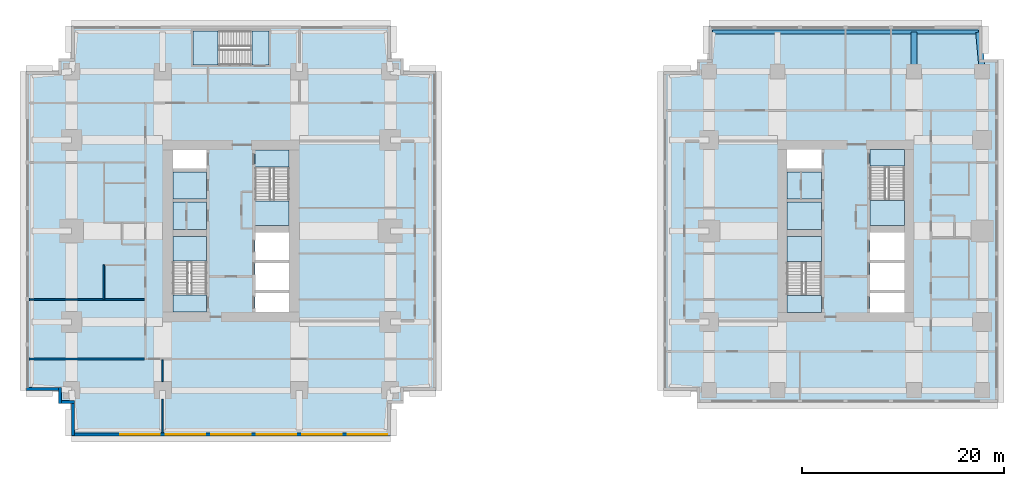
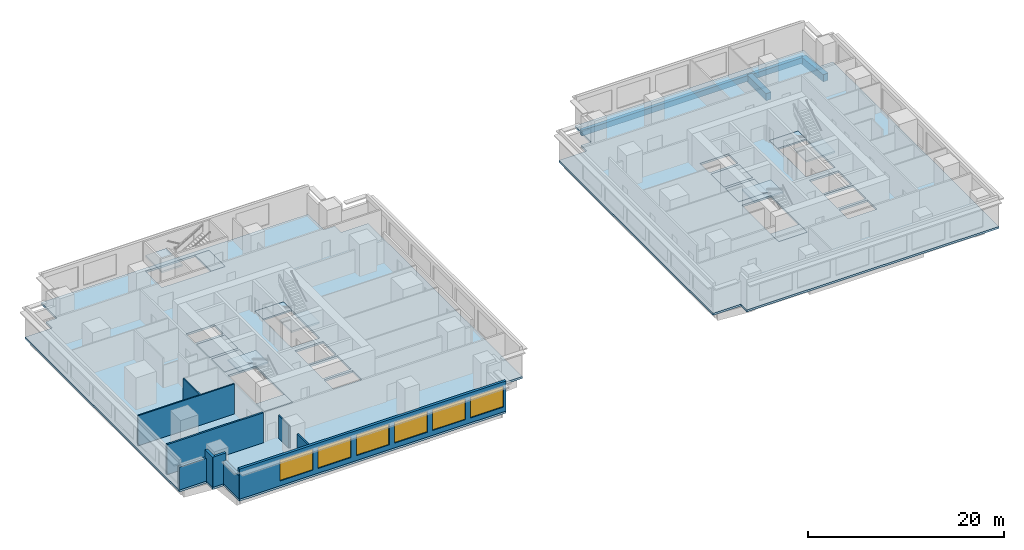
# One storey, part 2 of 10: 16 slabs, 10 walls, 6 windows, 3 beams, 6 openings, 5 elements without a shape of their own.
"""IFC4 building model written with IfcOpenShell, lengths in metres."""

import ifcopenshell
import ifcopenshell.guid

model = None  # the IFC model being written
_history = None  # IfcOwnerHistory: only IFC2X3 demands one
_inside = {}  # id of a spatial element -> (the spatial element, [elements in it])
_under = {}  # id of a project, library or spatial element -> (it, [spatial elements below it])
_declared = {}  # id of a project -> (the project, [libraries it declares])
_typed = {}  # id of a type object -> (the type object, [elements of that type])
_made_of = {}  # id of a material, layer set ... -> (it, [elements and type objects made of it])


def new_model(schema):
    """Start an empty IFC model of exactly this schema.

    Asked for "IFC4X3", IfcOpenShell would pick the latest addendum, in which some entities
    have other attributes; the version numbers below select the first issue.
    IFC2X3 requires an IfcOwnerHistory on every rooted entity: one is made here for all.
    """
    global model, _history
    if schema == "IFC4X3":
        model = ifcopenshell.file(schema_version=(4, 3, 0, 0))
    else:
        model = ifcopenshell.file(schema=schema)
    _inside.clear()
    _under.clear()
    _declared.clear()
    _typed.clear()
    _made_of.clear()
    _history = None
    if model.schema == "IFC2X3":
        org = make("IfcOrganization", Name="unknown")
        user = make(
            "IfcPersonAndOrganization",
            ThePerson=make("IfcPerson", FamilyName="unknown"),
            TheOrganization=org,
        )
        app = make(
            "IfcApplication",
            ApplicationDeveloper=org,
            Version="unknown",
            ApplicationFullName="unknown",
            ApplicationIdentifier="unknown",
        )
        _history = make(
            "IfcOwnerHistory",
            OwningUser=user,
            OwningApplication=app,
            ChangeAction="ADDED",
            CreationDate=0,
        )
    return model


def make(cls, **values):
    """One entity of the class cls with the attributes given. An attribute that is None is left unset."""
    return model.create_entity(
        cls, **{name: value for name, value in values.items() if value is not None}
    )


def rooted(cls, **values):
    """An entity with a GlobalId (a new one), such as an element, a storey or a relation."""
    return make(cls, GlobalId=ifcopenshell.guid.new(), OwnerHistory=_history, **values)


def si_unit(unit_type, name, prefix=None):
    """IfcSIUnit, for example si_unit("LENGTHUNIT", "METRE", prefix="MILLI")."""
    return make("IfcSIUnit", UnitType=unit_type, Prefix=prefix, Name=name)


def assignment(units):
    """IfcUnitAssignment: the units of a project."""
    return None if units is None else make("IfcUnitAssignment", Units=units)


def point(xyz):
    """IfcCartesianPoint."""
    return None if xyz is None else make("IfcCartesianPoint", Coordinates=xyz)


def direction(xyz):
    """IfcDirection."""
    return None if xyz is None else make("IfcDirection", DirectionRatios=xyz)


def frame(location, z_axis=None, x_axis=None):
    """IfcAxis2Placement3D, a coordinate frame: its origin and axes. An axis left out is left unset."""
    return make(
        "IfcAxis2Placement3D",
        Location=point(location),
        Axis=direction(z_axis),
        RefDirection=direction(x_axis),
    )


def frame_2d(location, x_axis=None):
    """IfcAxis2Placement2D, a coordinate frame in the plane: its origin and x axis."""
    return make(
        "IfcAxis2Placement2D", Location=point(location), RefDirection=direction(x_axis)
    )


def origin():
    """The frame at (0, 0, 0) with its axes left unset."""
    return frame((0.0, 0.0, 0.0))


def origin_2d():
    """The frame at (0, 0) in the plane with its x axis left unset."""
    return frame_2d((0.0, 0.0))


def place(relative_to, where):
    """IfcLocalPlacement: puts the frame where relative to a parent placement (None: the world)."""
    return make(
        "IfcLocalPlacement", PlacementRelTo=relative_to, RelativePlacement=where
    )


def context(
    kind, dimensions, precision=None, world=None, true_north=None, identifier=None
):
    """IfcGeometricRepresentationContext, for example the 3D "Model" context."""
    return make(
        "IfcGeometricRepresentationContext",
        ContextIdentifier=identifier,
        ContextType=kind,
        CoordinateSpaceDimension=dimensions,
        Precision=precision,
        WorldCoordinateSystem=world,
        TrueNorth=true_north,
    )


def subcontext(parent, identifier, kind, view, scale=None):
    """IfcGeometricRepresentationSubContext, for example "Body" below "Model"."""
    return make(
        "IfcGeometricRepresentationSubContext",
        ContextIdentifier=identifier,
        ContextType=kind,
        ParentContext=parent,
        TargetScale=scale,
        TargetView=view,
    )


def project(units=None, contexts=None):
    """IfcProject with its units and contexts."""
    return rooted(
        "IfcProject",
        Name="project",
        RepresentationContexts=contexts,
        UnitsInContext=assignment(units),
    )


def spatial(cls, under=None, at=None, **own):
    """A site, building, storey or space (cls), placed at a placement, below another one or the project."""
    s = rooted(cls, ObjectPlacement=at, **own)
    if under is not None:
        _under.setdefault(under.id(), (under, []))[1].append(s)
    return s


def polyline(points):
    """IfcPolyline through the points."""
    return make("IfcPolyline", Points=[point(p) for p in points])


def profile(cls, at=None, kind="AREA", **sizes):
    """A parametric profile (cls). Its sizes go by their IFC names, for example OverallWidth=200.0."""
    return make(cls, ProfileType=kind, Position=at, **sizes)


def rectangle(**sizes):
    """IfcRectangleProfileDef."""
    return profile("IfcRectangleProfileDef", **sizes)


def outline(outer, holes=None, kind="AREA"):
    """IfcArbitraryClosedProfileDef: a profile drawn as a closed curve; with holes, ...WithVoids."""
    if holes is None:
        return make("IfcArbitraryClosedProfileDef", ProfileType=kind, OuterCurve=outer)
    return make(
        "IfcArbitraryProfileDefWithVoids",
        ProfileType=kind,
        OuterCurve=outer,
        InnerCurves=holes,
    )


def extrude(swept, where, along, depth):
    """IfcExtrudedAreaSolid: the profile swept, set in the frame where, extruded along a direction by depth."""
    return make(
        "IfcExtrudedAreaSolid",
        SweptArea=swept,
        Position=where,
        ExtrudedDirection=direction(along),
        Depth=depth,
    )


def shape(context_of_items, identifier, shape_type, items):
    """IfcShapeRepresentation: the items that make up one representation, for example the "Body"."""
    return make(
        "IfcShapeRepresentation",
        ContextOfItems=context_of_items,
        RepresentationIdentifier=identifier,
        RepresentationType=shape_type,
        Items=items,
    )


def material(Name=None, Category=None):
    """IfcMaterial."""
    return make("IfcMaterial", Name=Name, Category=Category)


def layer(
    of_material, thickness, ventilated=None, Name=None, Category=None, Priority=None
):
    """IfcMaterialLayer: one layer of a wall or slab, of a material (None: an air gap)."""
    return make(
        "IfcMaterialLayer",
        Material=of_material,
        LayerThickness=thickness,
        IsVentilated=ventilated,
        Name=Name,
        Category=Category,
        Priority=Priority,
    )


def layer_set(layers, Name=None):
    """IfcMaterialLayerSet."""
    return make("IfcMaterialLayerSet", MaterialLayers=layers, LayerSetName=Name)


def material_profile(
    of_material, cross_section, Name=None, Category=None, Priority=None
):
    """IfcMaterialProfile: a cross section and its material."""
    return make(
        "IfcMaterialProfile",
        Name=Name,
        Material=of_material,
        Profile=cross_section,
        Priority=Priority,
        Category=Category,
    )


def profile_set(profiles, Name=None, composite=None):
    """IfcMaterialProfileSet."""
    return make(
        "IfcMaterialProfileSet",
        Name=Name,
        MaterialProfiles=profiles,
        CompositeProfile=composite,
    )


def made_of(thing, what):
    """Note that an element or type object is made of a material, layer set ...; save() writes the relation."""
    if what is not None:
        _made_of.setdefault(what.id(), (what, []))[1].append(thing)
    return thing


def type_object(cls, material=None, **own):
    """A type object (cls), such as IfcWallType, which elements share."""
    return made_of(rooted(cls, **own), material)


def element(
    cls,
    number,
    at=None,
    inside=None,
    cuts=None,
    type_object=None,
    material=None,
    context=None,
    identifier="Body",
    shape_type=None,
    held_by="IfcProductDefinitionShape",
    body=None,
    shapes=None,
    **own,
):
    """One element of the class cls, such as IfcWall. Its Tag is "e" and its number.

    at: its placement. inside: the storey or other place that contains it. cuts: it is an
    opening in that element (IfcRelVoidsElement). A single representation is given by context,
    identifier, shape_type and body (its items); several are given by shapes. held_by: the class
    of the entity that holds the representations. save() writes the other relations.
    """
    e = rooted(cls, Tag="e%d" % number, ObjectPlacement=at, **own)
    if body is not None:
        shapes = [shape(context, identifier, shape_type, body)]
    if shapes is not None:
        e.Representation = make(held_by, Representations=shapes)
    if inside is not None:
        _inside.setdefault(inside.id(), (inside, []))[1].append(e)
    if cuts is not None:
        rooted(
            "IfcRelVoidsElement", RelatingBuildingElement=cuts, RelatedOpeningElement=e
        )
    if type_object is not None:
        _typed.setdefault(type_object.id(), (type_object, []))[1].append(e)
    return made_of(e, material)


def fill(opening, filler):
    """IfcRelFillsElement: the door or window that sits in an opening."""
    return rooted(
        "IfcRelFillsElement",
        RelatingOpeningElement=opening,
        RelatedBuildingElement=filler,
    )


def aggregate(whole, parts):
    """IfcRelAggregates: a whole, such as a stair, and the parts it consists of."""
    return rooted("IfcRelAggregates", RelatingObject=whole, RelatedObjects=parts)


def save(model, path):
    """Write the relations noted so far, then the file.

    IfcRelAggregates (storeys below a building ...), IfcRelContainedInSpatialStructure (elements
    in a storey), IfcRelDefinesByType, IfcRelAssociatesMaterial and IfcRelDeclares: one each for
    every whole, place, type object, material and project.
    """
    for whole, parts in _under.values():
        aggregate(whole, parts)
    for where, things in _inside.values():
        rooted(
            "IfcRelContainedInSpatialStructure",
            RelatedElements=things,
            RelatingStructure=where,
        )
    for kind, things in _typed.values():
        rooted("IfcRelDefinesByType", RelatedObjects=things, RelatingType=kind)
    for what, things in _made_of.values():
        rooted("IfcRelAssociatesMaterial", RelatedObjects=things, RelatingMaterial=what)
    for by, libraries in _declared.values():
        rooted("IfcRelDeclares", RelatingContext=by, RelatedDefinitions=libraries)
    model.write(path)


model = new_model("IFC4")

# Units and contexts
model_context = context("Model", 3, precision=1e-05, world=origin(), true_north=direction((0.0, 1.0)))
body_context = subcontext(model_context, "Body", "Model", "MODEL_VIEW")
ifc_project = project(units=[si_unit("LENGTHUNIT", "METRE"), si_unit("AREAUNIT", "SQUARE_METRE"), si_unit("VOLUMEUNIT", "CUBIC_METRE"), si_unit("PLANEANGLEUNIT", "RADIAN"), si_unit("MASSUNIT", "GRAM", prefix="KILO")], contexts=[model_context])

# Site, building, storey
site_placement = place(None, origin())
site = spatial("IfcSite", under=ifc_project, at=site_placement, CompositionType="ELEMENT")
building_placement = place(site_placement, origin())
building = spatial("IfcBuilding", under=site, at=building_placement, Name="Namib Vertical Campus", CompositionType="ELEMENT")
storey_placement = place(building_placement, frame((0.0, 0.0, 149.0)))
storey = spatial("IfcBuildingStorey", under=building, at=storey_placement, Name="L35", CompositionType="ELEMENT", Elevation=149.0)

# Beams
ifc_material_1 = material(Name="Concrete C40/50", Category="concrete")
ifc_material_profile_1 = material_profile(ifc_material_1, rectangle(XDim=0.60009765625, YDim=0.89990234375, at=origin_2d()))
ifc_profile_set_1 = profile_set([ifc_material_profile_1], Name="Concrete C40/50")
beam_type_1 = type_object("IfcBeamType", Name="Cantilever girder RC 600x900", PredefinedType="BEAM", material=ifc_profile_set_1)
beam_1_placement = place(storey_placement, frame((87.75, 36.0, -0.699951171875), z_axis=(0.0, 1.0, 0.0), x_axis=(-1.0, 0.0, 0.0)))
element("IfcBeam", 1, at=beam_1_placement, inside=storey, type_object=beam_type_1, Name="Beam B3 L35", PredefinedType="BEAM", context=body_context, shape_type="SweptSolid", body=[
    extrude(rectangle(XDim=0.60009765625, YDim=0.89990234375, at=origin_2d()), origin(), (0.0, 0.0, 1.0), 3.89990234375),
])
beam_2_placement = place(storey_placement, frame((94.5, 36.0, -0.699951171875), z_axis=(-0.089411326146, 0.995994786511, 0.0), x_axis=(-0.995994786511, -0.089411326146, 0.0)))
element("IfcBeam", 2, at=beam_2_placement, inside=storey, type_object=beam_type_1, Name="Beam B3 L35", PredefinedType="BEAM", context=body_context, shape_type="SweptSolid", body=[
    extrude(rectangle(XDim=0.60009765625, YDim=0.89990234375, at=origin_2d()), origin(), (0.0, 0.0, 1.0), 3.91552734375),
])
ifc_material_2 = material(Name="Concrete C40/50", Category="concrete")
ifc_material_profile_2 = material_profile(ifc_material_2, rectangle(XDim=0.39990234375, YDim=0.699951171875, at=origin_2d()))
ifc_profile_set_2 = profile_set([ifc_material_profile_2], Name="Concrete C40/50")
beam_type_2 = type_object("IfcBeamType", Name="Edge beam RC 400x700", PredefinedType="SPANDREL", material=ifc_profile_set_2)
beam_3_placement = place(storey_placement, frame((67.85009765625, 39.89990234375, -0.60009765625), z_axis=(1.0, 0.0, 0.0), x_axis=(0.0, 1.0, 0.0)))
element("IfcBeam", 3, at=beam_3_placement, inside=storey, type_object=beam_type_2, Name="Beam B4 L35", PredefinedType="SPANDREL", context=body_context, shape_type="SweptSolid", body=[
    extrude(rectangle(XDim=0.39990234375, YDim=0.699951171875, at=origin_2d()), origin(), (0.0, 0.0, 1.0), 26.2998046875),
])

# Slabs
ifc_material_3 = material(Name="Concrete C40/50", Category="concrete")
ifc_layer_1 = layer(ifc_material_3, 0.25)
ifc_layer_set_1 = layer_set([ifc_layer_1], Name="Concrete C40/50")
slab_type_1 = type_object("IfcSlabType", Name="Floor slab 250", PredefinedType="FLOOR", material=ifc_layer_set_1)
slab_1_placement = place(storey_placement, frame((0.0, 0.0, -0.25)))
element("IfcSlab", 4, at=slab_1_placement, inside=storey, type_object=slab_type_1, Name="Floor slab A L35", PredefinedType="FLOOR", context=body_context, shape_type="SweptSolid", body=[
    extrude(outline(polyline([(4.5, 0.0), (36.0, 0.0), (36.0, 3.199951171875), (37.300048828125, 3.199951171875), (37.300048828125, 4.5), (40.5, 4.5), (40.5, 36.0), (37.300048828125, 36.0), (37.300048828125, 37.300048828125), (36.0, 37.300048828125), (36.0, 40.5), (4.5, 40.5), (4.5, 37.300048828125), (3.199951171875, 37.300048828125), (3.199951171875, 36.0), (0.0, 36.0), (0.0, 4.5), (3.199951171875, 4.5), (3.199951171875, 3.199951171875), (4.5, 3.199951171875), (4.5, 0.0)]), holes=[polyline([(14.5, 12.25), (17.85009765625, 12.25), (17.85009765625, 19.699951171875), (14.5, 19.699951171875), (14.5, 12.25)]), polyline([(22.64990234375, 20.800048828125), (26.0, 20.800048828125), (26.0, 28.25), (22.64990234375, 28.25), (22.64990234375, 20.800048828125)]), polyline([(22.64990234375, 12.25), (26.0, 12.25), (26.0, 14.10009765625), (22.64990234375, 14.10009765625), (22.64990234375, 12.25)]), polyline([(14.5, 20.39990234375), (17.85009765625, 20.39990234375), (17.85009765625, 23.10009765625), (14.5, 23.10009765625), (14.5, 20.39990234375)]), polyline([(14.5, 23.39990234375), (17.85009765625, 23.39990234375), (17.85009765625, 26.10009765625), (14.5, 26.10009765625), (14.5, 23.39990234375)]), polyline([(14.5, 26.39990234375), (17.85009765625, 26.39990234375), (17.85009765625, 28.25), (14.5, 28.25), (14.5, 26.39990234375)]), polyline([(22.64990234375, 14.39990234375), (26.0, 14.39990234375), (26.0, 17.10009765625), (22.64990234375, 17.10009765625), (22.64990234375, 14.39990234375)]), polyline([(22.64990234375, 17.39990234375), (26.0, 17.39990234375), (26.0, 20.10009765625), (22.64990234375, 20.10009765625), (22.64990234375, 17.39990234375)]), polyline([(16.5, 36.64990234375), (24.0, 36.64990234375), (24.0, 40.0), (16.5, 40.0), (16.5, 36.64990234375)])]), origin(), (0.0, 0.0, 1.0), 0.25),
])
slab_2_placement = place(storey_placement, frame((0.0, 0.0, -0.25)))
element("IfcSlab", 5, at=slab_2_placement, inside=storey, type_object=slab_type_1, Name="Floor slab B L35", PredefinedType="FLOOR", context=body_context, shape_type="SweptSolid", body=[
    extrude(outline(polyline([(63.0, 4.5), (66.300048828125, 4.5), (66.300048828125, 3.300048828125), (96.050048828125, 3.300048828125), (96.050048828125, 37.199951171875), (94.5, 37.199951171875), (94.5, 40.5), (67.5, 40.5), (67.5, 37.199951171875), (66.300048828125, 37.199951171875), (66.300048828125, 36.0), (63.0, 36.0), (63.0, 4.5)]), holes=[polyline([(75.199951171875, 12.199951171875), (78.60009765625, 12.199951171875), (78.60009765625, 19.699951171875), (75.199951171875, 19.699951171875), (75.199951171875, 12.199951171875)]), polyline([(83.39990234375, 20.800048828125), (86.800048828125, 20.800048828125), (86.800048828125, 28.300048828125), (83.39990234375, 28.300048828125), (83.39990234375, 20.800048828125)]), polyline([(83.39990234375, 12.199951171875), (86.800048828125, 12.199951171875), (86.800048828125, 14.10009765625), (83.39990234375, 14.10009765625), (83.39990234375, 12.199951171875)]), polyline([(75.199951171875, 20.39990234375), (78.60009765625, 20.39990234375), (78.60009765625, 23.10009765625), (75.199951171875, 23.10009765625), (75.199951171875, 20.39990234375)]), polyline([(75.199951171875, 23.39990234375), (78.60009765625, 23.39990234375), (78.60009765625, 26.10009765625), (75.199951171875, 26.10009765625), (75.199951171875, 23.39990234375)]), polyline([(75.199951171875, 26.39990234375), (78.60009765625, 26.39990234375), (78.60009765625, 28.300048828125), (75.199951171875, 28.300048828125), (75.199951171875, 26.39990234375)]), polyline([(83.39990234375, 14.39990234375), (86.800048828125, 14.39990234375), (86.800048828125, 17.10009765625), (83.39990234375, 17.10009765625), (83.39990234375, 14.39990234375)]), polyline([(83.39990234375, 17.39990234375), (86.800048828125, 17.39990234375), (86.800048828125, 20.10009765625), (83.39990234375, 20.10009765625), (83.39990234375, 17.39990234375)])]), origin(), (0.0, 0.0, 1.0), 0.25),
])
ifc_material_4 = material(Name="Concrete C40/50 precast", Category="concrete")
ifc_layer_2 = layer(ifc_material_4, 0.25)
ifc_layer_set_2 = layer_set([ifc_layer_2], Name="Concrete C40/50 precast")
slab_type_2 = type_object("IfcSlabType", Name="Shaft infill floor 250", PredefinedType="FLOOR", material=ifc_layer_set_2)
slab_3_placement = place(storey_placement, frame((0.0, 0.0, -0.25)))
element("IfcSlab", 6, at=slab_3_placement, inside=storey, type_object=slab_type_2, Name="Shaft infill floor A L35 P1", PredefinedType="FLOOR", context=body_context, shape_type="SweptSolid", body=[
    extrude(outline(polyline([(14.5, 20.39990234375), (17.85009765625, 20.39990234375), (17.85009765625, 23.10009765625), (14.5, 23.10009765625), (14.5, 20.39990234375)])), origin(), (0.0, 0.0, 1.0), 0.25),
])
slab_4_placement = place(storey_placement, frame((0.0, 0.0, -0.25)))
element("IfcSlab", 7, at=slab_4_placement, inside=storey, type_object=slab_type_2, Name="Shaft infill floor A L35 P2", PredefinedType="FLOOR", context=body_context, shape_type="SweptSolid", body=[
    extrude(outline(polyline([(14.5, 23.39990234375), (17.85009765625, 23.39990234375), (17.85009765625, 26.10009765625), (14.5, 26.10009765625), (14.5, 23.39990234375)])), origin(), (0.0, 0.0, 1.0), 0.25),
])
slab_5_placement = place(storey_placement, frame((0.0, 0.0, -0.25)))
element("IfcSlab", 8, at=slab_5_placement, inside=storey, type_object=slab_type_2, Name="Shaft infill floor B L35 P1", PredefinedType="FLOOR", context=body_context, shape_type="SweptSolid", body=[
    extrude(outline(polyline([(75.199951171875, 20.39990234375), (78.60009765625, 20.39990234375), (78.60009765625, 23.10009765625), (75.199951171875, 23.10009765625), (75.199951171875, 20.39990234375)])), origin(), (0.0, 0.0, 1.0), 0.25),
])
slab_6_placement = place(storey_placement, frame((0.0, 0.0, -0.25)))
element("IfcSlab", 9, at=slab_6_placement, inside=storey, type_object=slab_type_2, Name="Shaft infill floor B L35 P2", PredefinedType="FLOOR", context=body_context, shape_type="SweptSolid", body=[
    extrude(outline(polyline([(75.199951171875, 23.39990234375), (78.60009765625, 23.39990234375), (78.60009765625, 26.10009765625), (75.199951171875, 26.10009765625), (75.199951171875, 23.39990234375)])), origin(), (0.0, 0.0, 1.0), 0.25),
])

# Stair, slabs
ifc_material_5 = material(Name="Concrete C40/50 precast", Category="concrete")
stair_type_1 = type_object("IfcStairType", Name="Exit stair 4000 rise 24 risers 3350 wide", PredefinedType="HALF_TURN_STAIR", material=ifc_material_5)
stair_1_placement = place(storey_placement, origin())
stair_1 = element("IfcStair", 10, at=stair_1_placement, inside=storey, type_object=stair_type_1, Name="Exit stair A-S1 L35", PredefinedType="HALF_TURN_STAIR")
ifc_material_6 = material(Name="Concrete C40/50", Category="concrete")
ifc_layer_3 = layer(ifc_material_6, 0.199951171875)
ifc_layer_set_3 = layer_set([ifc_layer_3], Name="Concrete C40/50")
slab_type_3 = type_object("IfcSlabType", Name="Stair landing 200", PredefinedType="LANDING", material=ifc_layer_set_3)
slab_7_placement = place(storey_placement, frame((0.0, 0.0, -0.199951171875)))
slab_7 = element("IfcSlab", 11, at=slab_7_placement, type_object=slab_type_3, Name="A-S1 landing 1", PredefinedType="LANDING", context=body_context, shape_type="SweptSolid", body=[
    extrude(outline(polyline([(14.5, 12.25), (17.85009765625, 12.25), (17.85009765625, 13.90380859375), (14.5, 13.90380859375), (14.5, 12.25)])), origin(), (0.0, 0.0, 1.0), 0.199951171875),
])
slab_8_placement = place(storey_placement, frame((0.0, 0.0, 1.800048828125)))
slab_8 = element("IfcSlab", 12, at=slab_8_placement, type_object=slab_type_3, Name="A-S1 landing 2", PredefinedType="LANDING", context=body_context, shape_type="SweptSolid", body=[
    extrude(outline(polyline([(14.5, 17.276123046875), (17.85009765625, 17.276123046875), (17.85009765625, 19.699951171875), (14.5, 19.699951171875), (14.5, 17.276123046875)])), origin(), (0.0, 0.0, 1.0), 0.199951171875),
])
aggregate(stair_1, [slab_7, slab_8])

stair_2_placement = place(storey_placement, origin())
stair_2 = element("IfcStair", 13, at=stair_2_placement, inside=storey, type_object=stair_type_1, Name="Exit stair A-S2 L35", PredefinedType="HALF_TURN_STAIR")
slab_9_placement = place(storey_placement, frame((0.0, 0.0, -0.199951171875)))
slab_9 = element("IfcSlab", 14, at=slab_9_placement, type_object=slab_type_3, Name="A-S2 landing 1", PredefinedType="LANDING", context=body_context, shape_type="SweptSolid", body=[
    extrude(outline(polyline([(22.64990234375, 26.59619140625), (26.0, 26.59619140625), (26.0, 28.25), (22.64990234375, 28.25), (22.64990234375, 26.59619140625)])), origin(), (0.0, 0.0, 1.0), 0.199951171875),
])
slab_10_placement = place(storey_placement, frame((0.0, 0.0, 1.800048828125)))
slab_10 = element("IfcSlab", 15, at=slab_10_placement, type_object=slab_type_3, Name="A-S2 landing 2", PredefinedType="LANDING", context=body_context, shape_type="SweptSolid", body=[
    extrude(outline(polyline([(22.64990234375, 20.800048828125), (26.0, 20.800048828125), (26.0, 23.223876953125), (22.64990234375, 23.223876953125), (22.64990234375, 20.800048828125)])), origin(), (0.0, 0.0, 1.0), 0.199951171875),
])
aggregate(stair_2, [slab_9, slab_10])

ifc_material_7 = material(Name="Concrete C40/50 precast", Category="concrete")
stair_type_2 = type_object("IfcStairType", Name="Exit stair 4000 rise 24 risers 3400 wide", PredefinedType="HALF_TURN_STAIR", material=ifc_material_7)
stair_3_placement = place(storey_placement, origin())
stair_3 = element("IfcStair", 16, at=stair_3_placement, inside=storey, type_object=stair_type_2, Name="Exit stair B-S1 L35", PredefinedType="HALF_TURN_STAIR")
slab_11_placement = place(storey_placement, frame((0.0, 0.0, -0.199951171875)))
slab_11 = element("IfcSlab", 17, at=slab_11_placement, type_object=slab_type_3, Name="B-S1 landing 1", PredefinedType="LANDING", context=body_context, shape_type="SweptSolid", body=[
    extrude(outline(polyline([(75.199951171875, 12.199951171875), (78.60009765625, 12.199951171875), (78.60009765625, 13.85400390625), (75.199951171875, 13.85400390625), (75.199951171875, 12.199951171875)])), origin(), (0.0, 0.0, 1.0), 0.199951171875),
])
slab_12_placement = place(storey_placement, frame((0.0, 0.0, 1.800048828125)))
slab_12 = element("IfcSlab", 18, at=slab_12_placement, type_object=slab_type_3, Name="B-S1 landing 2", PredefinedType="LANDING", context=body_context, shape_type="SweptSolid", body=[
    extrude(outline(polyline([(75.199951171875, 17.22607421875), (78.60009765625, 17.22607421875), (78.60009765625, 19.699951171875), (75.199951171875, 19.699951171875), (75.199951171875, 17.22607421875)])), origin(), (0.0, 0.0, 1.0), 0.199951171875),
])
aggregate(stair_3, [slab_11, slab_12])

stair_4_placement = place(storey_placement, origin())
stair_4 = element("IfcStair", 19, at=stair_4_placement, inside=storey, type_object=stair_type_2, Name="Exit stair B-S2 L35", PredefinedType="HALF_TURN_STAIR")
slab_13_placement = place(storey_placement, frame((0.0, 0.0, -0.199951171875)))
slab_13 = element("IfcSlab", 20, at=slab_13_placement, type_object=slab_type_3, Name="B-S2 landing 1", PredefinedType="LANDING", context=body_context, shape_type="SweptSolid", body=[
    extrude(outline(polyline([(83.39990234375, 26.64599609375), (86.800048828125, 26.64599609375), (86.800048828125, 28.300048828125), (83.39990234375, 28.300048828125), (83.39990234375, 26.64599609375)])), origin(), (0.0, 0.0, 1.0), 0.199951171875),
])
slab_14_placement = place(storey_placement, frame((0.0, 0.0, 1.800048828125)))
slab_14 = element("IfcSlab", 21, at=slab_14_placement, type_object=slab_type_3, Name="B-S2 landing 2", PredefinedType="LANDING", context=body_context, shape_type="SweptSolid", body=[
    extrude(outline(polyline([(83.39990234375, 20.800048828125), (86.800048828125, 20.800048828125), (86.800048828125, 23.27392578125), (83.39990234375, 23.27392578125), (83.39990234375, 20.800048828125)])), origin(), (0.0, 0.0, 1.0), 0.199951171875),
])
aggregate(stair_4, [slab_13, slab_14])

stair_5_placement = place(storey_placement, origin())
stair_5 = element("IfcStair", 22, at=stair_5_placement, inside=storey, type_object=stair_type_1, Name="Exit stair A-S3 L35", PredefinedType="HALF_TURN_STAIR")
slab_15_placement = place(storey_placement, frame((0.0, 0.0, -0.199951171875)))
slab_15 = element("IfcSlab", 23, at=slab_15_placement, type_object=slab_type_3, Name="A-S3 landing 1", PredefinedType="LANDING", context=body_context, shape_type="SweptSolid", body=[
    extrude(outline(polyline([(22.34619140625, 36.64990234375), (22.34619140625, 40.0), (24.0, 40.0), (24.0, 36.64990234375), (22.34619140625, 36.64990234375)])), origin(), (0.0, 0.0, 1.0), 0.199951171875),
])
slab_16_placement = place(storey_placement, frame((0.0, 0.0, 1.800048828125)))
slab_16 = element("IfcSlab", 24, at=slab_16_placement, type_object=slab_type_3, Name="A-S3 landing 2", PredefinedType="LANDING", context=body_context, shape_type="SweptSolid", body=[
    extrude(outline(polyline([(16.5, 36.64990234375), (16.5, 40.0), (18.973876953125, 40.0), (18.973876953125, 36.64990234375), (16.5, 36.64990234375)])), origin(), (0.0, 0.0, 1.0), 0.199951171875),
])
aggregate(stair_5, [slab_15, slab_16])

# Wall
ifc_material_8 = material(Name="Concrete masonry", Category="masonry")
ifc_layer_4 = layer(ifc_material_8, 0.199951171875)
ifc_layer_set_4 = layer_set([ifc_layer_4], Name="Corridor wall 200")
wall_type_1 = type_object("IfcWallType", Name="Corridor wall 200", PredefinedType="SOLIDWALL", material=ifc_layer_set_4)
wall_1_placement = place(storey_placement, frame((0.300048828125, 7.60009765625, 0.0), z_axis=(0.0, 0.0, 1.0), x_axis=(1.0, 0.0, 0.0)))
element("IfcWall", 25, at=wall_1_placement, inside=storey, type_object=wall_type_1, Name="Partition A L35 BSW", PredefinedType="SOLIDWALL", context=body_context, shape_type="SweptSolid", body=[
    extrude(rectangle(XDim=11.39990234375, YDim=0.199951171875, at=frame_2d((5.699951171875, 0.0))), origin(), (0.0, 0.0, 1.0), 3.75),
])

# Wall, openings, windows
ifc_material_9 = material(Name="Concrete C40/50", Category="concrete")
ifc_layer_5 = layer(ifc_material_9, 0.300048828125)
ifc_layer_set_5 = layer_set([ifc_layer_5], Name="Concrete C40/50")
wall_type_2 = type_object("IfcWallType", Name="External wall 300 board-marked concrete", PredefinedType="STANDARD", material=ifc_layer_set_5)
wall_2_placement = place(storey_placement, frame((4.52001953125, 0.14990234375, 0.0), z_axis=(0.0, 0.0, 1.0), x_axis=(1.0, 0.0, 0.0)))
wall_2 = element("IfcWall", 26, at=wall_2_placement, inside=storey, type_object=wall_type_2, Name="External wall L35 F01", PredefinedType="STANDARD", context=body_context, shape_type="SweptSolid", body=[
    extrude(rectangle(XDim=31.4599609375, YDim=0.300048828125, at=frame_2d((15.72998046875, 0.0))), origin(), (0.0, 0.0, 1.0), 3.75),
])
opening_1_placement = place(wall_2_placement, frame((4.780029296875, 0.0, 0.60009765625)))
opening_1 = element("IfcOpeningElement", 27, at=opening_1_placement, cuts=wall_2, Name="Opening W2", PredefinedType="OPENING", context=body_context, shape_type="SweptSolid", body=[
    extrude(rectangle(XDim=3.89990234375, YDim=2.60009765625, at=frame_2d((1.949951171875, 1.300048828125))), frame((0.0, 0.159912109375, 0.0), z_axis=(0.0, -1.0, 0.0), x_axis=(1.0, 0.0, 0.0)), (0.0, 0.0, 1.0), 0.320068359375),
])
opening_2_placement = place(wall_2_placement, frame((9.280029296875, 0.0, 0.60009765625)))
opening_2 = element("IfcOpeningElement", 28, at=opening_2_placement, cuts=wall_2, Name="Opening W2", PredefinedType="OPENING", context=body_context, shape_type="SweptSolid", body=[
    extrude(rectangle(XDim=3.89990234375, YDim=2.60009765625, at=frame_2d((1.949951171875, 1.300048828125))), frame((0.0, 0.159912109375, 0.0), z_axis=(0.0, -1.0, 0.0), x_axis=(1.0, 0.0, 0.0)), (0.0, 0.0, 1.0), 0.320068359375),
])
opening_3_placement = place(wall_2_placement, frame((13.780029296875, 0.0, 0.60009765625)))
opening_3 = element("IfcOpeningElement", 29, at=opening_3_placement, cuts=wall_2, Name="Opening W2", PredefinedType="OPENING", context=body_context, shape_type="SweptSolid", body=[
    extrude(rectangle(XDim=3.89990234375, YDim=2.60009765625, at=frame_2d((1.949951171875, 1.300048828125))), frame((0.0, 0.159912109375, 0.0), z_axis=(0.0, -1.0, 0.0), x_axis=(1.0, 0.0, 0.0)), (0.0, 0.0, 1.0), 0.320068359375),
])
opening_4_placement = place(wall_2_placement, frame((18.280029296875, 0.0, 0.60009765625)))
opening_4 = element("IfcOpeningElement", 30, at=opening_4_placement, cuts=wall_2, Name="Opening W2", PredefinedType="OPENING", context=body_context, shape_type="SweptSolid", body=[
    extrude(rectangle(XDim=3.89990234375, YDim=2.60009765625, at=frame_2d((1.949951171875, 1.300048828125))), frame((0.0, 0.159912109375, 0.0), z_axis=(0.0, -1.0, 0.0), x_axis=(1.0, 0.0, 0.0)), (0.0, 0.0, 1.0), 0.320068359375),
])
opening_5_placement = place(wall_2_placement, frame((22.780029296875, 0.0, 0.60009765625)))
opening_5 = element("IfcOpeningElement", 31, at=opening_5_placement, cuts=wall_2, Name="Opening W2", PredefinedType="OPENING", context=body_context, shape_type="SweptSolid", body=[
    extrude(rectangle(XDim=3.89990234375, YDim=2.60009765625, at=frame_2d((1.949951171875, 1.300048828125))), frame((0.0, 0.159912109375, 0.0), z_axis=(0.0, -1.0, 0.0), x_axis=(1.0, 0.0, 0.0)), (0.0, 0.0, 1.0), 0.320068359375),
])
opening_6_placement = place(wall_2_placement, frame((27.280029296875, 0.0, 0.60009765625)))
opening_6 = element("IfcOpeningElement", 32, at=opening_6_placement, cuts=wall_2, Name="Opening W2", PredefinedType="OPENING", context=body_context, shape_type="SweptSolid", body=[
    extrude(rectangle(XDim=3.89990234375, YDim=2.60009765625, at=frame_2d((1.949951171875, 1.300048828125))), frame((0.0, 0.159912109375, 0.0), z_axis=(0.0, -1.0, 0.0), x_axis=(1.0, 0.0, 0.0)), (0.0, 0.0, 1.0), 0.320068359375),
])
ifc_material_10 = material(Name="Dark tinted glass in black aluminium frame", Category="aluminium")
window_type = type_object("IfcWindowType", Name="Ribbon window 3900x2600", PartitioningType="SINGLE_PANEL", PredefinedType="WINDOW", material=ifc_material_10)
window_1_placement = place(opening_1_placement, origin())
window_1 = element("IfcWindow", 33, at=window_1_placement, inside=storey, type_object=window_type, Name="Window W2 L35 F01-2", OverallHeight=2.60009765625, OverallWidth=3.89990234375, PartitioningType="SINGLE_PANEL", PredefinedType="WINDOW", context=body_context, shape_type="SweptSolid", body=[
    extrude(rectangle(XDim=3.89990234375, YDim=2.60009765625, at=frame_2d((1.949951171875, 1.300048828125))), frame((0.0, 0.030029296875, 0.0), z_axis=(0.0, -1.0, 0.0), x_axis=(1.0, 0.0, 0.0)), (0.0, 0.0, 1.0), 0.06005859375),
])
fill(opening_1, window_1)
window_2_placement = place(opening_2_placement, origin())
window_2 = element("IfcWindow", 34, at=window_2_placement, inside=storey, type_object=window_type, Name="Window W2 L35 F01-3", OverallHeight=2.60009765625, OverallWidth=3.89990234375, PartitioningType="SINGLE_PANEL", PredefinedType="WINDOW", context=body_context, shape_type="SweptSolid", body=[
    extrude(rectangle(XDim=3.89990234375, YDim=2.60009765625, at=frame_2d((1.949951171875, 1.300048828125))), frame((0.0, 0.030029296875, 0.0), z_axis=(0.0, -1.0, 0.0), x_axis=(1.0, 0.0, 0.0)), (0.0, 0.0, 1.0), 0.06005859375),
])
fill(opening_2, window_2)
window_3_placement = place(opening_3_placement, origin())
window_3 = element("IfcWindow", 35, at=window_3_placement, inside=storey, type_object=window_type, Name="Window W2 L35 F01-4", OverallHeight=2.60009765625, OverallWidth=3.89990234375, PartitioningType="SINGLE_PANEL", PredefinedType="WINDOW", context=body_context, shape_type="SweptSolid", body=[
    extrude(rectangle(XDim=3.89990234375, YDim=2.60009765625, at=frame_2d((1.949951171875, 1.300048828125))), frame((0.0, 0.030029296875, 0.0), z_axis=(0.0, -1.0, 0.0), x_axis=(1.0, 0.0, 0.0)), (0.0, 0.0, 1.0), 0.06005859375),
])
fill(opening_3, window_3)
window_4_placement = place(opening_4_placement, origin())
window_4 = element("IfcWindow", 36, at=window_4_placement, inside=storey, type_object=window_type, Name="Window W2 L35 F01-5", OverallHeight=2.60009765625, OverallWidth=3.89990234375, PartitioningType="SINGLE_PANEL", PredefinedType="WINDOW", context=body_context, shape_type="SweptSolid", body=[
    extrude(rectangle(XDim=3.89990234375, YDim=2.60009765625, at=frame_2d((1.949951171875, 1.300048828125))), frame((0.0, 0.030029296875, 0.0), z_axis=(0.0, -1.0, 0.0), x_axis=(1.0, 0.0, 0.0)), (0.0, 0.0, 1.0), 0.06005859375),
])
fill(opening_4, window_4)
window_5_placement = place(opening_5_placement, origin())
window_5 = element("IfcWindow", 37, at=window_5_placement, inside=storey, type_object=window_type, Name="Window W2 L35 F01-6", OverallHeight=2.60009765625, OverallWidth=3.89990234375, PartitioningType="SINGLE_PANEL", PredefinedType="WINDOW", context=body_context, shape_type="SweptSolid", body=[
    extrude(rectangle(XDim=3.89990234375, YDim=2.60009765625, at=frame_2d((1.949951171875, 1.300048828125))), frame((0.0, 0.030029296875, 0.0), z_axis=(0.0, -1.0, 0.0), x_axis=(1.0, 0.0, 0.0)), (0.0, 0.0, 1.0), 0.06005859375),
])
fill(opening_5, window_5)
window_6_placement = place(opening_6_placement, origin())
window_6 = element("IfcWindow", 38, at=window_6_placement, inside=storey, type_object=window_type, Name="Window W2 L35 F01-7", OverallHeight=2.60009765625, OverallWidth=3.89990234375, PartitioningType="SINGLE_PANEL", PredefinedType="WINDOW", context=body_context, shape_type="SweptSolid", body=[
    extrude(rectangle(XDim=3.89990234375, YDim=2.60009765625, at=frame_2d((1.949951171875, 1.300048828125))), frame((0.0, 0.030029296875, 0.0), z_axis=(0.0, -1.0, 0.0), x_axis=(1.0, 0.0, 0.0)), (0.0, 0.0, 1.0), 0.06005859375),
])
fill(opening_6, window_6)

# Walls
wall_3_placement = place(storey_placement, frame((0.02001953125, 4.64990234375, 0.0), z_axis=(0.0, 0.0, 1.0), x_axis=(1.0, 0.0, 0.0)))
element("IfcWall", 39, at=wall_3_placement, inside=storey, type_object=wall_type_2, Name="External wall L35 F17", PredefinedType="STANDARD", context=body_context, shape_type="SweptSolid", body=[
    extrude(rectangle(XDim=3.4599609375, YDim=0.300048828125, at=frame_2d((1.72998046875, 0.0))), origin(), (0.0, 0.0, 1.0), 2.85009765625),
])
for number, where, z_axis, x_axis, name in (
    (40, (3.35009765625, 4.780029296875, 0.0), (0.0, 0.0, 1.0), (0.0, -1.0, 0.0), "External wall L35 F18"),
    (41, (3.219970703125, 3.35009765625, 0.0), (0.0, 0.0, 1.0), (1.0, 0.0, 0.0), "External wall L35 F19"),
):
    element("IfcWall", number, at=place(storey_placement, frame(where, z_axis=z_axis, x_axis=x_axis)), inside=storey, type_object=wall_type_2, Name=name, PredefinedType="STANDARD", context=body_context, shape_type="SweptSolid", body=[
        extrude(rectangle(XDim=1.56005859375, YDim=0.300048828125, at=frame_2d((0.780029296875, 0.0))), origin(), (0.0, 0.0, 1.0), 3.75),
    ])
wall_4_placement = place(storey_placement, frame((4.64990234375, 3.47998046875, 0.0), z_axis=(0.0, 0.0, 1.0), x_axis=(0.0, -1.0, 0.0)))
element("IfcWall", 42, at=wall_4_placement, inside=storey, type_object=wall_type_2, Name="External wall L35 F20", PredefinedType="STANDARD", context=body_context, shape_type="SweptSolid", body=[
    extrude(rectangle(XDim=3.4599609375, YDim=0.300048828125, at=frame_2d((1.72998046875, 0.0))), origin(), (0.0, 0.0, 1.0), 2.85009765625),
])
ifc_material_11 = material(Name="Gypsum board on steel studs", Category="steel")
ifc_layer_6 = layer(ifc_material_11, 0.14990234375)
ifc_layer_set_6 = layer_set([ifc_layer_6], Name="Gypsum board on steel studs")
wall_type_3 = type_object("IfcWallType", Name="Partition 150", PredefinedType="PARTITIONING", material=ifc_layer_set_6)
wall_5_placement = place(storey_placement, frame((13.5, 0.300048828125, 0.0), z_axis=(0.0, 0.0, 1.0), x_axis=(0.0, 1.0, 0.0)))
element("IfcWall", 43, at=wall_5_placement, inside=storey, type_object=wall_type_3, Name="Partition A L35 PS1", PredefinedType="PARTITIONING", context=body_context, shape_type="SweptSolid", body=[
    extrude(rectangle(XDim=3.329833984375, YDim=0.14990234375, at=frame_2d((1.6650390625, 0.0))), origin(), (0.0, 0.0, 1.0), 2.85009765625),
])
wall_6_placement = place(storey_placement, frame((13.5, 5.3701171875, 0.0), z_axis=(0.0, 0.0, 1.0), x_axis=(0.0, 1.0, 0.0)))
element("IfcWall", 44, at=wall_6_placement, inside=storey, type_object=wall_type_3, Name="Partition A L35 PS1", PredefinedType="PARTITIONING", context=body_context, shape_type="SweptSolid", body=[
    extrude(rectangle(XDim=2.1298828125, YDim=0.14990234375, at=frame_2d((1.06494140625, 0.0))), origin(), (0.0, 0.0, 1.0), 2.85009765625),
])
wall_7_placement = place(storey_placement, frame((0.300048828125, 13.5, 0.0), z_axis=(0.0, 0.0, 1.0), x_axis=(1.0, 0.0, 0.0)))
element("IfcWall", 45, at=wall_7_placement, inside=storey, type_object=wall_type_3, Name="Partition A L35 PW1", PredefinedType="PARTITIONING", context=body_context, shape_type="SweptSolid", body=[
    extrude(rectangle(XDim=11.39990234375, YDim=0.14990234375, at=frame_2d((5.699951171875, 0.0))), origin(), (0.0, 0.0, 1.0), 3.75),
])
wall_8_placement = place(storey_placement, frame((7.699951171875, 13.5, 0.0), z_axis=(0.0, 0.0, 1.0), x_axis=(0.0, 1.0, 0.0)))
element("IfcWall", 46, at=wall_8_placement, inside=storey, type_object=wall_type_3, Name="Partition A L35 WB1", PredefinedType="PARTITIONING", context=body_context, shape_type="SweptSolid", body=[
    extrude(rectangle(XDim=3.39990234375, YDim=0.14990234375, at=frame_2d((1.699951171875, 0.0))), origin(), (0.0, 0.0, 1.0), 3.75),
])

save(model, "model.ifc")
